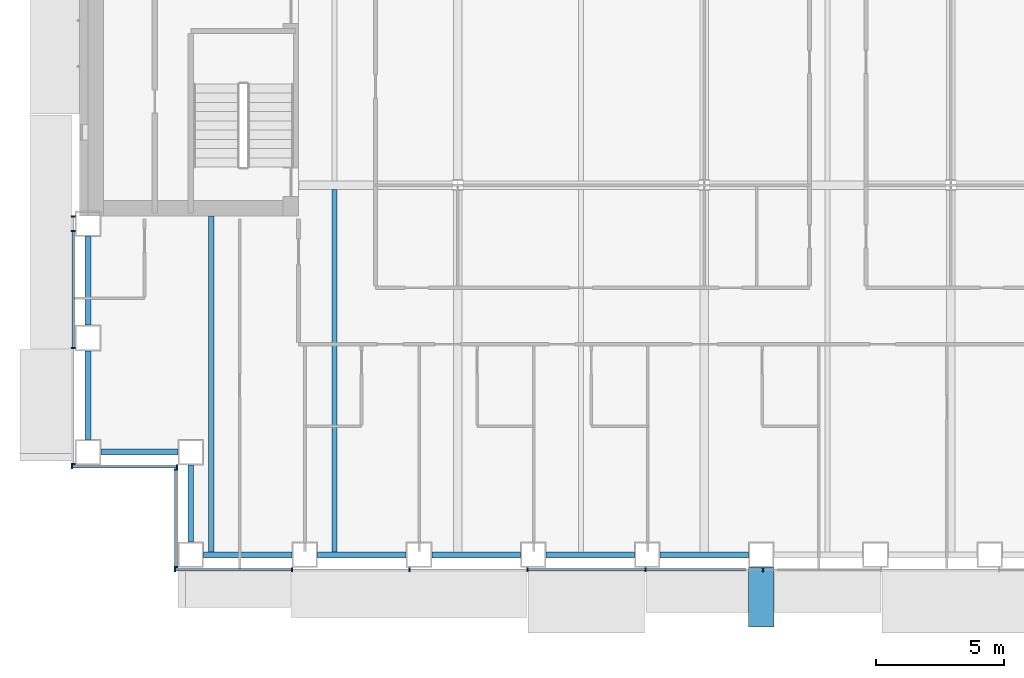
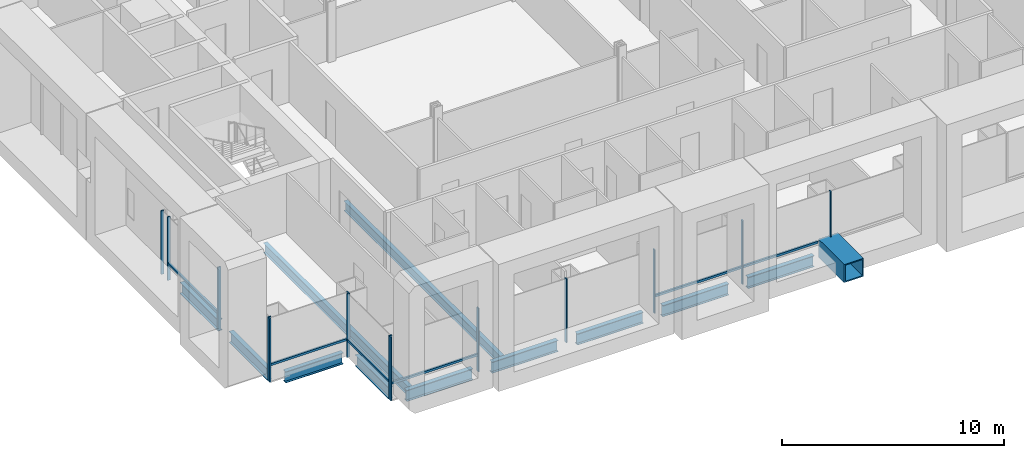
# One storey, part 2 of 25: 20 members, 12 beams, 4 elements without a shape of their own.
"""IFC4 building model written with IfcOpenShell, lengths in metres."""

from ifc_helpers import new_model, si_unit, direction, frame, origin, origin_2d, place, context, subcontext, project, spatial, rectangle, hollow_rectangle, i_section, extrude, material, material_profile, profile_set, type_object, element, aggregate, save


model = new_model("IFC4")

# Units and contexts
model_context = context("Model", 3, precision=1e-05, world=origin(), true_north=direction((0.0, 1.0)))
body_context = subcontext(model_context, "Body", "Model", "MODEL_VIEW")
ifc_project = project(units=[si_unit("LENGTHUNIT", "METRE"), si_unit("AREAUNIT", "SQUARE_METRE"), si_unit("VOLUMEUNIT", "CUBIC_METRE"), si_unit("PLANEANGLEUNIT", "RADIAN"), si_unit("MASSUNIT", "GRAM", prefix="KILO")], contexts=[model_context])

# Site, building, storey
site_placement = place(None, origin())
site = spatial("IfcSite", under=ifc_project, at=site_placement, CompositionType="ELEMENT")
building_placement = place(site_placement, origin())
building = spatial("IfcBuilding", under=site, at=building_placement, Name="Cobrizo Arcos Hotel Tower", CompositionType="ELEMENT")
storey_placement = place(building_placement, frame((0.0, 0.0, 53.0)))
storey = spatial("IfcBuildingStorey", under=building, at=storey_placement, Name="L11", CompositionType="ELEMENT", Elevation=53.0)

# Beam
ifc_material_1 = material(Name="Steel ASTM A572 Grade 50", Category="steel")
ifc_material_profile_1 = material_profile(ifc_material_1, hollow_rectangle(XDim=1.0, YDim=1.0, WallThickness=0.06005859375, at=origin_2d()), Name="BOX 1000X1000X60")
ifc_profile_set_1 = profile_set([ifc_material_profile_1], Name="Steel ASTM A572 Grade 50")
beam_type_1 = type_object("IfcBeamType", Name="BOX 1000X1000X60 brace connector strut", PredefinedType="BEAM", material=ifc_profile_set_1)
beam_1_placement = place(storey_placement, frame((2.22216796875, -24.489990234375, 0.5), z_axis=(0.0, -1.0, 0.0), x_axis=(1.0, 0.0, 0.0)))
element("IfcBeam", 1, at=beam_1_placement, inside=storey, type_object=beam_type_1, Name="Perimeter brace stub BS1, zone Z1, south face, offset +2.22 m, L11", PredefinedType="BEAM", context=body_context, shape_type="SweptSolid", body=[
    extrude(hollow_rectangle(XDim=1.0, YDim=1.0, WallThickness=0.06005859375, at=origin_2d()), origin(), (0.0, 0.0, 1.0), 2.330078125),
])

# Curtain wall, members
ifc_material_2 = material(Name="Aluminium 6063-T6 anodised bronze", Category="aluminium")
curtain_wall_type = type_object("IfcCurtainWallType", Name="CW-A guest facade", PredefinedType="NOTDEFINED", material=ifc_material_2)
curtain_wall_1_placement = place(storey_placement, origin())
curtain_wall_1 = element("IfcCurtainWall", 2, at=curtain_wall_1_placement, inside=storey, type_object=curtain_wall_type, Name="CW-A L11 S face", PredefinedType="NOTDEFINED")
ifc_material_profile_2 = material_profile(ifc_material_2, rectangle(XDim=0.14990234375, YDim=0.06005859375, at=origin_2d()), Name="CW-A mullion 150x60")
ifc_profile_set_2 = profile_set([ifc_material_profile_2], Name="Aluminium 6063-T6 anodised bronze")
member_type_1 = type_object("IfcMemberType", Name="CW-A mullion 150x60", PredefinedType="MULLION", material=ifc_profile_set_2)
member_1_placement = place(storey_placement, frame((-20.6201171875, -24.574951171875, 0.0), z_axis=(0.0, 0.0, 1.0), x_axis=(0.0, -1.0, 0.0)))
member_1 = element("IfcMember", 3, at=member_1_placement, type_object=member_type_1, Name="CW-A mullion 1", PredefinedType="MULLION", context=body_context, shape_type="SweptSolid", body=[
    extrude(rectangle(XDim=0.14990234375, YDim=0.06005859375, at=origin_2d()), origin(), (0.0, 0.0, 1.0), 3.5),
])
member_2_placement = place(storey_placement, frame((-16.06103515625, -24.574951171875, 0.0), z_axis=(0.0, 0.0, 1.0), x_axis=(0.0, -1.0, 0.0)))
member_2 = element("IfcMember", 4, at=member_2_placement, type_object=member_type_1, Name="CW-A mullion 2", PredefinedType="MULLION", context=body_context, shape_type="SweptSolid", body=[
    extrude(rectangle(XDim=0.14990234375, YDim=0.06005859375, at=origin_2d()), origin(), (0.0, 0.0, 1.0), 3.5),
])
member_3_placement = place(storey_placement, frame((-11.47216796875, -24.574951171875, 0.0), z_axis=(0.0, 0.0, 1.0), x_axis=(0.0, -1.0, 0.0)))
member_3 = element("IfcMember", 5, at=member_3_placement, type_object=member_type_1, Name="CW-A mullion 3", PredefinedType="MULLION", context=body_context, shape_type="SweptSolid", body=[
    extrude(rectangle(XDim=0.14990234375, YDim=0.06005859375, at=origin_2d()), origin(), (0.0, 0.0, 1.0), 3.5),
])
member_4_placement = place(storey_placement, frame((-6.88330078125, -24.574951171875, 0.0), z_axis=(0.0, 0.0, 1.0), x_axis=(0.0, -1.0, 0.0)))
member_4 = element("IfcMember", 6, at=member_4_placement, type_object=member_type_1, Name="CW-A mullion 4", PredefinedType="MULLION", context=body_context, shape_type="SweptSolid", body=[
    extrude(rectangle(XDim=0.14990234375, YDim=0.06005859375, at=origin_2d()), origin(), (0.0, 0.0, 1.0), 3.5),
])
member_5_placement = place(storey_placement, frame((-2.29443359375, -24.574951171875, 0.0), z_axis=(0.0, 0.0, 1.0), x_axis=(0.0, -1.0, 0.0)))
member_5 = element("IfcMember", 7, at=member_5_placement, type_object=member_type_1, Name="CW-A mullion 5", PredefinedType="MULLION", context=body_context, shape_type="SweptSolid", body=[
    extrude(rectangle(XDim=0.14990234375, YDim=0.06005859375, at=origin_2d()), origin(), (0.0, 0.0, 1.0), 3.5),
])
member_6_placement = place(storey_placement, frame((2.29443359375, -24.574951171875, 0.0), z_axis=(0.0, 0.0, 1.0), x_axis=(0.0, -1.0, 0.0)))
member_6 = element("IfcMember", 8, at=member_6_placement, type_object=member_type_1, Name="CW-A mullion 6", PredefinedType="MULLION", context=body_context, shape_type="SweptSolid", body=[
    extrude(rectangle(XDim=0.14990234375, YDim=0.06005859375, at=origin_2d()), origin(), (0.0, 0.0, 1.0), 3.5),
])

curtain_wall_2_placement = place(storey_placement, origin())
curtain_wall_2 = element("IfcCurtainWall", 9, at=curtain_wall_2_placement, inside=storey, type_object=curtain_wall_type, Name="CW-A L11 W face", PredefinedType="NOTDEFINED")
member_7_placement = place(storey_placement, frame((-24.574951171875, -10.830078125, 0.0), z_axis=(0.0, 0.0, 1.0), x_axis=(-1.0, 0.0, 0.0)))
member_7 = element("IfcMember", 10, at=member_7_placement, type_object=member_type_1, Name="CW-A mullion 1", PredefinedType="MULLION", context=body_context, shape_type="SweptSolid", body=[
    extrude(rectangle(XDim=0.14990234375, YDim=0.06005859375, at=origin_2d()), origin(), (0.0, 0.0, 1.0), 3.5),
])
member_8_placement = place(storey_placement, frame((-24.574951171875, -11.388916015625, 0.0), z_axis=(0.0, 0.0, 1.0), x_axis=(-1.0, 0.0, 0.0)))
member_8 = element("IfcMember", 11, at=member_8_placement, type_object=member_type_1, Name="CW-A mullion 2", PredefinedType="MULLION", context=body_context, shape_type="SweptSolid", body=[
    extrude(rectangle(XDim=0.14990234375, YDim=0.06005859375, at=origin_2d()), origin(), (0.0, 0.0, 1.0), 3.5),
])
member_9_placement = place(storey_placement, frame((-24.574951171875, -15.9443359375, 0.0), z_axis=(0.0, 0.0, 1.0), x_axis=(-1.0, 0.0, 0.0)))
member_9 = element("IfcMember", 12, at=member_9_placement, type_object=member_type_1, Name="CW-A mullion 3", PredefinedType="MULLION", context=body_context, shape_type="SweptSolid", body=[
    extrude(rectangle(XDim=0.14990234375, YDim=0.06005859375, at=origin_2d()), origin(), (0.0, 0.0, 1.0), 3.5),
])
member_10_placement = place(storey_placement, frame((-24.574951171875, -20.469970703125, 0.0), z_axis=(0.0, 0.0, 1.0), x_axis=(-1.0, 0.0, 0.0)))
member_10 = element("IfcMember", 13, at=member_10_placement, type_object=member_type_1, Name="CW-A mullion 4", PredefinedType="MULLION", context=body_context, shape_type="SweptSolid", body=[
    extrude(rectangle(XDim=0.14990234375, YDim=0.06005859375, at=origin_2d()), origin(), (0.0, 0.0, 1.0), 3.5),
])

curtain_wall_3_placement = place(storey_placement, origin())
curtain_wall_3 = element("IfcCurtainWall", 14, at=curtain_wall_3_placement, inside=storey, type_object=curtain_wall_type, Name="CW-A L11 S face", PredefinedType="NOTDEFINED")
member_11_placement = place(storey_placement, frame((-24.6201171875, -20.574951171875, 0.0), z_axis=(0.0, 0.0, 1.0), x_axis=(0.0, -1.0, 0.0)))
member_11 = element("IfcMember", 15, at=member_11_placement, type_object=member_type_1, Name="CW-A mullion 1", PredefinedType="MULLION", context=body_context, shape_type="SweptSolid", body=[
    extrude(rectangle(XDim=0.14990234375, YDim=0.06005859375, at=origin_2d()), origin(), (0.0, 0.0, 1.0), 3.5),
])
member_12_placement = place(storey_placement, frame((-20.530029296875, -20.574951171875, 0.0), z_axis=(0.0, 0.0, 1.0), x_axis=(0.0, -1.0, 0.0)))
member_12 = element("IfcMember", 16, at=member_12_placement, type_object=member_type_1, Name="CW-A mullion 2", PredefinedType="MULLION", context=body_context, shape_type="SweptSolid", body=[
    extrude(rectangle(XDim=0.14990234375, YDim=0.06005859375, at=origin_2d()), origin(), (0.0, 0.0, 1.0), 3.5),
])

curtain_wall_4_placement = place(storey_placement, origin())
curtain_wall_4 = element("IfcCurtainWall", 17, at=curtain_wall_4_placement, inside=storey, type_object=curtain_wall_type, Name="CW-A L11 W face", PredefinedType="NOTDEFINED")
member_13_placement = place(storey_placement, frame((-20.574951171875, -20.679931640625, 0.0), z_axis=(0.0, 0.0, 1.0), x_axis=(-1.0, 0.0, 0.0)))
member_13 = element("IfcMember", 18, at=member_13_placement, type_object=member_type_1, Name="CW-A mullion 1", PredefinedType="MULLION", context=body_context, shape_type="SweptSolid", body=[
    extrude(rectangle(XDim=0.14990234375, YDim=0.06005859375, at=origin_2d()), origin(), (0.0, 0.0, 1.0), 3.5),
])
member_14_placement = place(storey_placement, frame((-20.574951171875, -24.469970703125, 0.0), z_axis=(0.0, 0.0, 1.0), x_axis=(-1.0, 0.0, 0.0)))
member_14 = element("IfcMember", 19, at=member_14_placement, type_object=member_type_1, Name="CW-A mullion 2", PredefinedType="MULLION", context=body_context, shape_type="SweptSolid", body=[
    extrude(rectangle(XDim=0.14990234375, YDim=0.06005859375, at=origin_2d()), origin(), (0.0, 0.0, 1.0), 3.5),
])

# Member
ifc_material_profile_3 = material_profile(ifc_material_2, rectangle(XDim=0.10009765625, YDim=0.1201171875, at=origin_2d()), Name="CW-A transom 120x100")
ifc_profile_set_3 = profile_set([ifc_material_profile_3], Name="Aluminium 6063-T6 anodised bronze")
member_type_2 = type_object("IfcMemberType", Name="CW-A transom 120x100", PredefinedType="USERDEFINED", material=ifc_profile_set_3)
member_15_placement = place(storey_placement, frame((-20.590087890625, -24.574951171875, 0.929931640625), z_axis=(1.0, 0.0, 0.0), x_axis=(0.0, 1.0, 0.0)))
member_15 = element("IfcMember", 20, at=member_15_placement, type_object=member_type_2, Name="CW-A transom 513", ObjectType="TRANSOM", PredefinedType="USERDEFINED", context=body_context, shape_type="SweptSolid", body=[
    extrude(rectangle(XDim=0.10009765625, YDim=0.1201171875, at=origin_2d()), origin(), (0.0, 0.0, 1.0), 4.4990234375),
])

member_16_placement = place(storey_placement, frame((-6.853271484375, -24.574951171875, 0.929931640625), z_axis=(1.0, 0.0, 0.0), x_axis=(0.0, 1.0, 0.0)))
member_16 = element("IfcMember", 21, at=member_16_placement, type_object=member_type_2, Name="CW-A transom 516", ObjectType="TRANSOM", PredefinedType="USERDEFINED", context=body_context, shape_type="SweptSolid", body=[
    extrude(rectangle(XDim=0.10009765625, YDim=0.1201171875, at=origin_2d()), origin(), (0.0, 0.0, 1.0), 4.52880859375),
])

member_17_placement = place(storey_placement, frame((-2.264404296875, -24.574951171875, 0.929931640625), z_axis=(1.0, 0.0, 0.0), x_axis=(0.0, 1.0, 0.0)))
member_17 = element("IfcMember", 22, at=member_17_placement, type_object=member_type_2, Name="CW-A transom 517", ObjectType="TRANSOM", PredefinedType="USERDEFINED", context=body_context, shape_type="SweptSolid", body=[
    extrude(rectangle(XDim=0.10009765625, YDim=0.1201171875, at=origin_2d()), origin(), (0.0, 0.0, 1.0), 3.88671875),
])

aggregate(curtain_wall_1, [member_1, member_2, member_3, member_4, member_5, member_6, member_15, member_16, member_17])

member_18_placement = place(storey_placement, frame((-24.574951171875, -11.4189453125, 0.929931640625), z_axis=(0.0, -1.0, 0.0), x_axis=(1.0, 0.0, 0.0)))
member_18 = element("IfcMember", 23, at=member_18_placement, type_object=member_type_2, Name="CW-A transom 547", ObjectType="TRANSOM", PredefinedType="USERDEFINED", context=body_context, shape_type="SweptSolid", body=[
    extrude(rectangle(XDim=0.10009765625, YDim=0.1201171875, at=origin_2d()), origin(), (0.0, 0.0, 1.0), 4.49560546875),
])

aggregate(curtain_wall_2, [member_7, member_8, member_9, member_10, member_18])

member_19_placement = place(storey_placement, frame((-24.590087890625, -20.574951171875, 0.929931640625), z_axis=(1.0, 0.0, 0.0), x_axis=(0.0, 1.0, 0.0)))
member_19 = element("IfcMember", 24, at=member_19_placement, type_object=member_type_2, Name="CW-A transom 549", ObjectType="TRANSOM", PredefinedType="USERDEFINED", context=body_context, shape_type="SweptSolid", body=[
    extrude(rectangle(XDim=0.10009765625, YDim=0.1201171875, at=origin_2d()), origin(), (0.0, 0.0, 1.0), 4.030029296875),
])

aggregate(curtain_wall_3, [member_11, member_12, member_19])

member_20_placement = place(storey_placement, frame((-20.574951171875, -20.7099609375, 0.929931640625), z_axis=(0.0, -1.0, 0.0), x_axis=(1.0, 0.0, 0.0)))
member_20 = element("IfcMember", 25, at=member_20_placement, type_object=member_type_2, Name="CW-A transom 550", ObjectType="TRANSOM", PredefinedType="USERDEFINED", context=body_context, shape_type="SweptSolid", body=[
    extrude(rectangle(XDim=0.10009765625, YDim=0.1201171875, at=origin_2d()), origin(), (0.0, 0.0, 1.0), 3.72998046875),
])

aggregate(curtain_wall_4, [member_13, member_14, member_20])

# Beams
ifc_material_3 = material(Name="Steel ASTM A992 Grade 50", Category="steel")
ifc_material_profile_4 = material_profile(ifc_material_3, i_section(OverallWidth=0.209228515625, OverallDepth=0.533447265625, WebThickness=0.01025390625, FlangeThickness=0.015625, at=origin_2d()), Name="W21X62")
ifc_profile_set_4 = profile_set([ifc_material_profile_4], Name="Steel ASTM A992 Grade 50")
beam_type_2 = type_object("IfcBeamType", Name="W21X62 joist", PredefinedType="JOIST", material=ifc_profile_set_4)
beam_2_placement = place(storey_placement, frame((-19.199951171875, -23.909912109375, -0.416748046875), z_axis=(0.0, 1.0, 0.0), x_axis=(-1.0, 0.0, 0.0)))
element("IfcBeam", 26, at=beam_2_placement, inside=storey, type_object=beam_type_2, Name="Floor joist J1, L11, no. 001", PredefinedType="JOIST", context=body_context, shape_type="SweptSolid", body=[
    extrude(i_section(OverallWidth=0.209228515625, OverallDepth=0.533447265625, WebThickness=0.01025390625, FlangeThickness=0.015625, at=origin_2d()), origin(), (0.0, 0.0, 1.0), 13.099853515625),
])
beam_3_placement = place(storey_placement, frame((-14.39990234375, -23.909912109375, -0.416748046875), z_axis=(0.0, 1.0, 0.0), x_axis=(-1.0, 0.0, 0.0)))
element("IfcBeam", 27, at=beam_3_placement, inside=storey, type_object=beam_type_2, Name="Floor joist J1, L11, no. 003", PredefinedType="JOIST", context=body_context, shape_type="SweptSolid", body=[
    extrude(i_section(OverallWidth=0.209228515625, OverallDepth=0.533447265625, WebThickness=0.01025390625, FlangeThickness=0.015625, at=origin_2d()), origin(), (0.0, 0.0, 1.0), 14.14599609375),
])
ifc_material_profile_5 = material_profile(ifc_material_3, i_section(OverallWidth=0.23046875, OverallDepth=0.6171875, WebThickness=0.01318359375, FlangeThickness=0.022216796875, at=origin_2d()), Name="W24X94")
ifc_profile_set_5 = profile_set([ifc_material_profile_5], Name="Steel ASTM A992 Grade 50")
beam_type_3 = type_object("IfcBeamType", Name="W24X94 spandrel", PredefinedType="SPANDREL", material=ifc_profile_set_5)
beam_4_placement = place(storey_placement, frame((-19.5, -24.0, -0.45849609375), z_axis=(1.0, 0.0, 0.0), x_axis=(0.0, 1.0, 0.0)))
element("IfcBeam", 28, at=beam_4_placement, inside=storey, type_object=beam_type_3, Name="Spandrel beam W24X94, L11, no. 001", PredefinedType="SPANDREL", context=body_context, shape_type="SweptSolid", body=[
    extrude(i_section(OverallWidth=0.23046875, OverallDepth=0.6171875, WebThickness=0.01318359375, FlangeThickness=0.022216796875, at=origin_2d()), origin(), (0.0, 0.0, 1.0), 3.444091796875),
])
beam_5_placement = place(storey_placement, frame((-15.055908203125, -24.0, -0.45849609375), z_axis=(1.0, 0.0, 0.0), x_axis=(0.0, 1.0, 0.0)))
element("IfcBeam", 29, at=beam_5_placement, inside=storey, type_object=beam_type_3, Name="Spandrel beam W24X94, L11, no. 002", PredefinedType="SPANDREL", context=body_context, shape_type="SweptSolid", body=[
    extrude(i_section(OverallWidth=0.23046875, OverallDepth=0.6171875, WebThickness=0.01318359375, FlangeThickness=0.022216796875, at=origin_2d()), origin(), (0.0, 0.0, 1.0), 3.44482421875),
])
beam_6_placement = place(storey_placement, frame((-10.611083984375, -24.0, -0.45849609375), z_axis=(1.0, 0.0, 0.0), x_axis=(0.0, 1.0, 0.0)))
element("IfcBeam", 30, at=beam_6_placement, inside=storey, type_object=beam_type_3, Name="Spandrel beam W24X94, L11, no. 003", PredefinedType="SPANDREL", context=body_context, shape_type="SweptSolid", body=[
    extrude(i_section(OverallWidth=0.23046875, OverallDepth=0.6171875, WebThickness=0.01318359375, FlangeThickness=0.022216796875, at=origin_2d()), origin(), (0.0, 0.0, 1.0), 3.444091796875),
])
beam_7_placement = place(storey_placement, frame((-6.1669921875, -24.0, -0.45849609375), z_axis=(1.0, 0.0, 0.0), x_axis=(0.0, 1.0, 0.0)))
element("IfcBeam", 31, at=beam_7_placement, inside=storey, type_object=beam_type_3, Name="Spandrel beam W24X94, L11, no. 004", PredefinedType="SPANDREL", context=body_context, shape_type="SweptSolid", body=[
    extrude(i_section(OverallWidth=0.23046875, OverallDepth=0.6171875, WebThickness=0.01318359375, FlangeThickness=0.022216796875, at=origin_2d()), origin(), (0.0, 0.0, 1.0), 3.445068359375),
])
beam_8_placement = place(storey_placement, frame((-1.721923828125, -24.0, -0.45849609375), z_axis=(1.0, 0.0, 0.0), x_axis=(0.0, 1.0, 0.0)))
element("IfcBeam", 32, at=beam_8_placement, inside=storey, type_object=beam_type_3, Name="Spandrel beam W24X94, L11, no. 005", PredefinedType="SPANDREL", context=body_context, shape_type="SweptSolid", body=[
    extrude(i_section(OverallWidth=0.23046875, OverallDepth=0.6171875, WebThickness=0.01318359375, FlangeThickness=0.022216796875, at=origin_2d()), origin(), (0.0, 0.0, 1.0), 3.44384765625),
])
beam_9_placement = place(storey_placement, frame((-24.0, -11.611083984375, -0.45849609375), z_axis=(0.0, -1.0, 0.0), x_axis=(1.0, 0.0, 0.0)))
element("IfcBeam", 33, at=beam_9_placement, inside=storey, type_object=beam_type_3, Name="Spandrel beam W24X94, L11, no. 031", PredefinedType="SPANDREL", context=body_context, shape_type="SweptSolid", body=[
    extrude(i_section(OverallWidth=0.23046875, OverallDepth=0.6171875, WebThickness=0.01318359375, FlangeThickness=0.022216796875, at=origin_2d()), origin(), (0.0, 0.0, 1.0), 3.44482421875),
])
beam_10_placement = place(storey_placement, frame((-24.0, -16.055908203125, -0.45849609375), z_axis=(0.0, -1.0, 0.0), x_axis=(1.0, 0.0, 0.0)))
element("IfcBeam", 34, at=beam_10_placement, inside=storey, type_object=beam_type_3, Name="Spandrel beam W24X94, L11, no. 032", PredefinedType="SPANDREL", context=body_context, shape_type="SweptSolid", body=[
    extrude(i_section(OverallWidth=0.23046875, OverallDepth=0.6171875, WebThickness=0.01318359375, FlangeThickness=0.022216796875, at=origin_2d()), origin(), (0.0, 0.0, 1.0), 3.444091796875),
])
for number, where, z_axis, x_axis, name in (
    (35, (-23.5, -20.0, -0.45849609375), (1.0, 0.0, 0.0), (0.0, 1.0, 0.0), "Spandrel beam W24X94, L11, no. 033"),
    (36, (-20.0, -20.5, -0.45849609375), (0.0, -1.0, 0.0), (1.0, 0.0, 0.0), "Spandrel beam W24X94, L11, no. 034"),
):
    element("IfcBeam", number, at=place(storey_placement, frame(where, z_axis=z_axis, x_axis=x_axis)), inside=storey, type_object=beam_type_3, Name=name, PredefinedType="SPANDREL", context=body_context, shape_type="SweptSolid", body=[
        extrude(i_section(OverallWidth=0.23046875, OverallDepth=0.6171875, WebThickness=0.01318359375, FlangeThickness=0.022216796875, at=origin_2d()), origin(), (0.0, 0.0, 1.0), 3.0),
    ])

save(model, "model.ifc")
